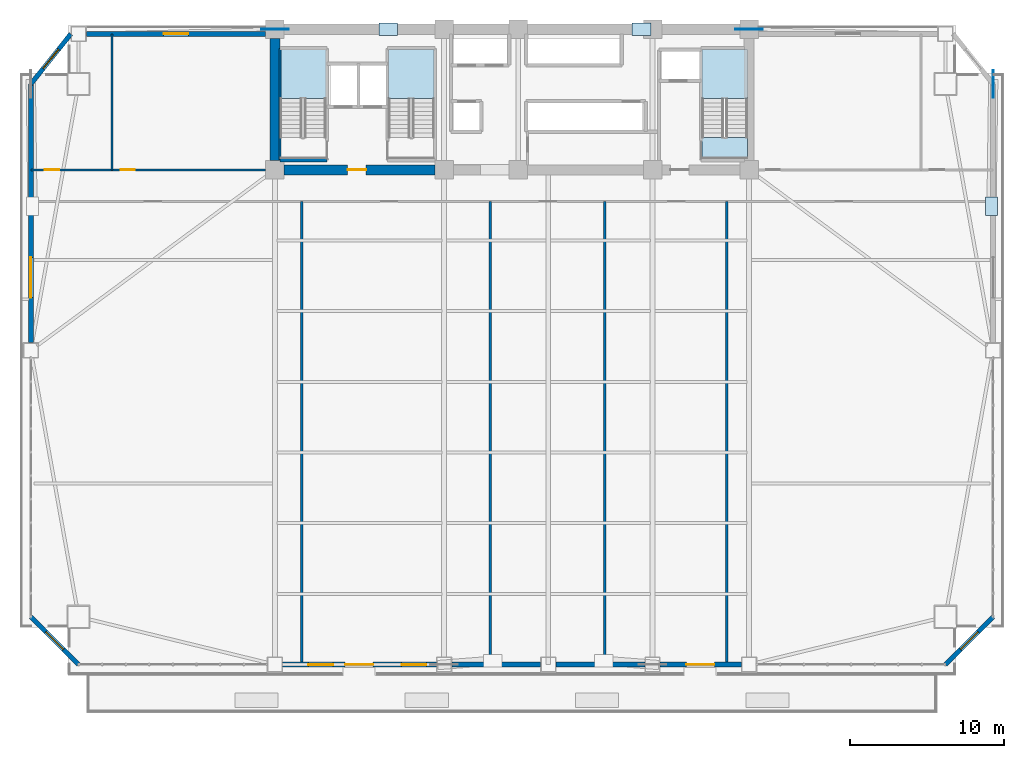
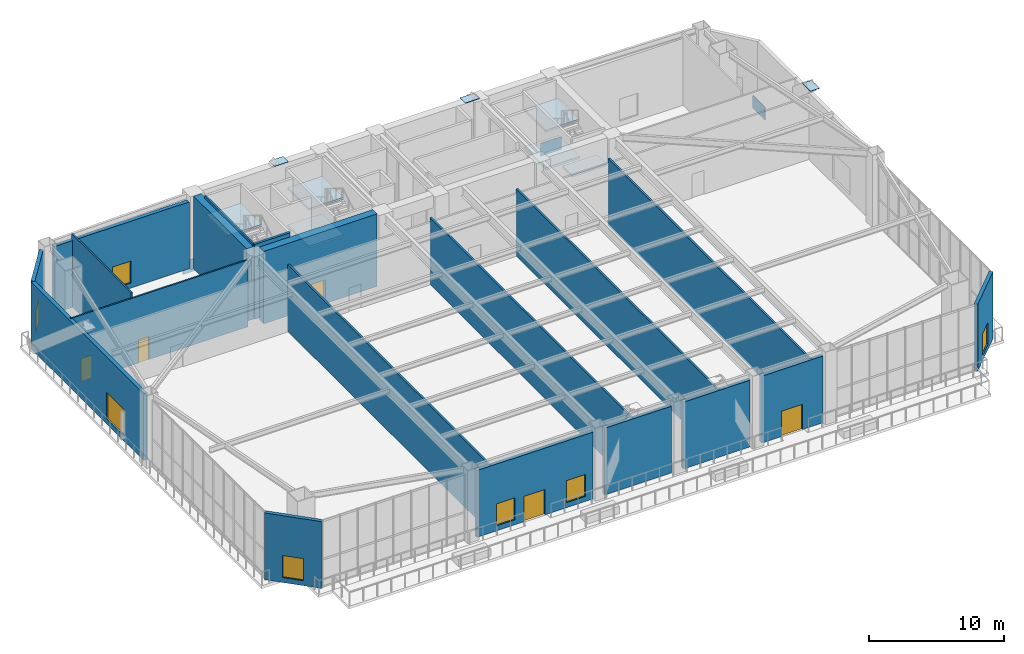
# One storey, part 14 of 22: 19 walls, 7 windows, 6 plates, 6 slabs, 5 doors, 12 openings, 3 elements without a shape of their own.
"""IFC4 building model written with IfcOpenShell, lengths in metres."""

from ifc_helpers import new_model, si_unit, direction, frame, frame_2d, origin, origin_2d, place, context, subcontext, project, spatial, polyline, rectangle, outline, extrude, source, transform, mapped, material, layer, layer_set, type_object, element, fill, aggregate, save


model = new_model("IFC4")

# Units and contexts
model_context = context("Model", 3, precision=1e-05, world=origin(), true_north=direction((0.0, 1.0)))
body_context = subcontext(model_context, "Body", "Model", "MODEL_VIEW")
ifc_project = project(units=[si_unit("LENGTHUNIT", "METRE"), si_unit("AREAUNIT", "SQUARE_METRE"), si_unit("VOLUMEUNIT", "CUBIC_METRE"), si_unit("PLANEANGLEUNIT", "RADIAN"), si_unit("MASSUNIT", "GRAM", prefix="KILO")], contexts=[model_context])

# Site, building, storey
site_placement = place(None, origin())
site = spatial("IfcSite", under=ifc_project, at=site_placement, CompositionType="ELEMENT")
building_placement = place(site_placement, origin())
building = spatial("IfcBuilding", under=site, at=building_placement, Name="Giltprow Tower", CompositionType="ELEMENT")
storey_placement = place(building_placement, frame((0.0, 0.0, 72.800048828125)))
storey = spatial("IfcBuildingStorey", under=building, at=storey_placement, Name="L18", CompositionType="ELEMENT", Elevation=72.800048828125)

# Stair, slab
ifc_material_1 = material(Name="Concrete C40", Category="concrete")
stair_type_1 = type_object("IfcStairType", Name="STR-ST-1", PredefinedType="HALF_TURN_STAIR", material=ifc_material_1)
stair_1_placement = place(storey_placement, origin())
stair_1 = element("IfcStair", 1, at=stair_1_placement, inside=storey, type_object=stair_type_1, Name="L18 Core Exit Stair ST-1", PredefinedType="HALF_TURN_STAIR")
ifc_layer_1 = layer(ifc_material_1, 0.179931640625, Name="Concrete C40")
ifc_layer_set_1 = layer_set([ifc_layer_1], Name="Concrete C40")
slab_type_1 = type_object("IfcSlabType", Name="SLD-ST-1", PredefinedType="LANDING", material=ifc_layer_set_1)
slab_1_placement = place(storey_placement, frame((0.0, 0.0, 4.919921875)))
slab_1 = element("IfcSlab", 2, at=slab_1_placement, type_object=slab_type_1, Name="ST-1 landing 3", PredefinedType="LANDING", context=body_context, shape_type="SweptSolid", body=[
    extrude(outline(polyline([(23.159912109375, 42.070068359375), (23.159912109375, 45.25), (20.199951171875, 45.25), (20.199951171875, 42.070068359375), (23.159912109375, 42.070068359375)])), origin(), (0.0, 0.0, 1.0), 0.179931640625),
])
aggregate(stair_1, [slab_1])

# Stair, slabs
stair_type_2 = type_object("IfcStairType", Name="STR-ST-2", PredefinedType="HALF_TURN_STAIR", material=ifc_material_1)
stair_2_placement = place(storey_placement, origin())
stair_2 = element("IfcStair", 3, at=stair_2_placement, inside=storey, type_object=stair_type_2, Name="L18 Core Exit Stair ST-2", PredefinedType="HALF_TURN_STAIR")
ifc_layer_2 = layer(ifc_material_1, 0.18798828125, Name="Concrete C40")
ifc_layer_set_2 = layer_set([ifc_layer_2], Name="Concrete C40")
slab_type_2 = type_object("IfcSlabType", Name="SLD-ST-2", PredefinedType="LANDING", material=ifc_layer_set_2)
slab_2_placement = place(storey_placement, frame((0.0, 0.0, 1.511962890625)))
slab_2 = element("IfcSlab", 4, at=slab_2_placement, type_object=slab_type_2, Name="ST-2 landing 1", PredefinedType="LANDING", context=body_context, shape_type="SweptSolid", body=[
    extrude(outline(polyline([(30.159912109375, 42.070068359375), (30.159912109375, 45.25), (27.199951171875, 45.25), (27.199951171875, 42.070068359375), (30.159912109375, 42.070068359375)])), origin(), (0.0, 0.0, 1.0), 0.18798828125),
])
slab_3_placement = place(storey_placement, frame((0.0, 0.0, 4.911865234375)))
slab_3 = element("IfcSlab", 5, at=slab_3_placement, type_object=slab_type_2, Name="ST-2 landing 3", PredefinedType="LANDING", context=body_context, shape_type="SweptSolid", body=[
    extrude(outline(polyline([(30.159912109375, 42.070068359375), (30.159912109375, 45.25), (27.199951171875, 45.25), (27.199951171875, 42.070068359375), (30.159912109375, 42.070068359375)])), origin(), (0.0, 0.0, 1.0), 0.18798828125),
])
aggregate(stair_2, [slab_2, slab_3])

stair_type_3 = type_object("IfcStairType", Name="STR-ST-3", PredefinedType="HALF_TURN_STAIR", material=ifc_material_1)
stair_3_placement = place(storey_placement, origin())
stair_3 = element("IfcStair", 6, at=stair_3_placement, inside=storey, type_object=stair_type_3, Name="L18 Core Exit Stair ST-3", PredefinedType="HALF_TURN_STAIR")
ifc_layer_3 = layer(ifc_material_1, 0.196044921875, Name="Concrete C40")
ifc_layer_set_3 = layer_set([ifc_layer_3], Name="Concrete C40")
slab_type_3 = type_object("IfcSlabType", Name="SLD-ST-3", PredefinedType="LANDING", material=ifc_layer_set_3)
slab_4_placement = place(storey_placement, frame((0.0, 0.0, 1.50390625)))
slab_4 = element("IfcSlab", 7, at=slab_4_placement, type_object=slab_type_3, Name="ST-3 landing 1", PredefinedType="LANDING", context=body_context, shape_type="SweptSolid", body=[
    extrude(outline(polyline([(50.4599609375, 42.070068359375), (50.4599609375, 45.25), (47.5, 45.25), (47.5, 42.070068359375), (50.4599609375, 42.070068359375)])), origin(), (0.0, 0.0, 1.0), 0.196044921875),
])
slab_5_placement = place(storey_placement, frame((0.0, 0.0, 3.203857421875)))
slab_5 = element("IfcSlab", 8, at=slab_5_placement, type_object=slab_type_3, Name="ST-3 landing 2", PredefinedType="LANDING", context=body_context, shape_type="SweptSolid", body=[
    extrude(outline(polyline([(50.4599609375, 38.14990234375), (50.4599609375, 39.550048828125), (47.5, 39.550048828125), (47.5, 38.14990234375), (50.4599609375, 38.14990234375)])), origin(), (0.0, 0.0, 1.0), 0.196044921875),
])
slab_6_placement = place(storey_placement, frame((0.0, 0.0, 4.904052734375)))
slab_6 = element("IfcSlab", 9, at=slab_6_placement, type_object=slab_type_3, Name="ST-3 landing 3", PredefinedType="LANDING", context=body_context, shape_type="SweptSolid", body=[
    extrude(outline(polyline([(50.4599609375, 42.070068359375), (50.4599609375, 45.25), (47.5, 45.25), (47.5, 42.070068359375), (50.4599609375, 42.070068359375)])), origin(), (0.0, 0.0, 1.0), 0.19580078125),
])
aggregate(stair_3, [slab_4, slab_5, slab_6])

# Plates
ifc_material_2 = material(Name="Structural steel Q420GJC", Category="steel")
plate_type_1 = type_object("IfcPlateType", Name="PLT-NODE-MBN1", PredefinedType="USERDEFINED", material=ifc_material_2)
shared_shape_1 = source(origin(), body_context, "Body", "SweptSolid", [
    extrude(rectangle(XDim=1.800048828125, YDim=0.050048828125, at=origin_2d()), origin(), (0.0, 0.0, 1.0), 1.14990234375),
])
for number, where, z_axis, x_axis, name in (
    (10, (19.85009765625, 46.550048828125, -0.715087890625), (0.0, 0.0, 1.0), (1.0, 0.0, 0.0), "Mega-Brace Node L18-N-LA"),
    (11, (50.550048828125, 46.550048828125, -0.715087890625), (0.0, 0.0, 1.0), (1.0, 0.0, 0.0), "Mega-Brace Node L18-N-RA"),
    (12, (66.361083984375, 43.00390625, -0.574951171875), (0.0, 0.0, 1.0), (0.0, 1.0, 0.0), "Mega-Brace Node L18-E-RA"),
):
    element("IfcPlate", number, at=place(storey_placement, frame(where, z_axis=z_axis, x_axis=x_axis)), inside=storey, type_object=plate_type_1, Name=name, ObjectType="GUSSET", PredefinedType="USERDEFINED", context=body_context, shape_type="MappedRepresentation", body=[
        mapped(shared_shape_1, transform((0.0, 0.0, 0.0), x_axis=(1.0, 0.0, 0.0), y_axis=(0.0, 1.0, 0.0), z_axis=(0.0, 0.0, 1.0), scale=1.0)),
    ])
plate_type_2 = type_object("IfcPlateType", Name="PLT-CAP-SEAL", PredefinedType="USERDEFINED", material=ifc_material_2)
shared_shape_2 = source(origin(), body_context, "Body", "SweptSolid", [
    extrude(rectangle(XDim=1.199951171875, YDim=0.800048828125, at=origin_2d()), origin(), (0.0, 0.0, 1.0), 0.034912109375),
])
for number, where, z_axis, x_axis, name in (
    (13, (27.18603515625, 46.550048828125, 6.642578125), (0.0, 0.0, 1.0), (1.0, 0.0, 0.0), "Mega-Brace Node L18-N-LB"),
    (14, (43.5869140625, 46.550048828125, 6.642578125), (0.0, 0.0, 1.0), (1.0, 0.0, 0.0), "Mega-Brace Node L18-N-RB"),
    (15, (66.251953125, 35.093017578125, 6.78271484375), (0.0, 0.0, 1.0), (0.0, 1.0, 0.0), "Mega-Brace Node L18-E-RB"),
):
    element("IfcPlate", number, at=place(storey_placement, frame(where, z_axis=z_axis, x_axis=x_axis)), inside=storey, type_object=plate_type_2, Name=name, ObjectType="SPLICE", PredefinedType="USERDEFINED", context=body_context, shape_type="MappedRepresentation", body=[
        mapped(shared_shape_2, transform((0.0, 0.0, 0.0), x_axis=(1.0, 0.0, 0.0), y_axis=(0.0, 1.0, 0.0), z_axis=(0.0, 0.0, 1.0), scale=1.0)),
    ])

# Wall, opening, window
ifc_material_3 = material(Name="Precast concrete C40", Category="concrete")
ifc_layer_4 = layer(ifc_material_3, 0.300048828125, Name="Precast concrete C40")
ifc_layer_set_4 = layer_set([ifc_layer_4], Name="Precast concrete C40")
wall_type_1 = type_object("IfcWallType", Name="EW-NOTCH-CHAMFER-300", PredefinedType="SOLIDWALL", material=ifc_layer_set_4)
wall_1_placement = place(storey_placement, frame((4.0400390625, 8.5048828125, 0.0), z_axis=(0.0, 0.0, 1.0), x_axis=(0.707106781187, -0.707106781187, 0.0)))
wall_1 = element("IfcWall", 16, at=wall_1_placement, inside=storey, type_object=wall_type_1, Name="L18 Corner Notch Wall SW", PredefinedType="SOLIDWALL", context=body_context, shape_type="SweptSolid", body=[
    extrude(rectangle(XDim=4.37841796875, YDim=0.300048828125, at=frame_2d((2.189208984375, 0.0))), origin(), (0.0, 0.0, 1.0), 6.06005859375),
])
opening_1_placement = place(wall_1_placement, frame((1.388916015625, 0.0, 0.449951171875)))
opening_1 = element("IfcOpeningElement", 17, at=opening_1_placement, cuts=wall_1, Name="Opening WN17", PredefinedType="OPENING", context=body_context, shape_type="SweptSolid", body=[
    extrude(rectangle(XDim=1.60009765625, YDim=2.0, at=frame_2d((0.800048828125, 1.0))), frame((0.0, 0.159912109375, 0.0), z_axis=(0.0, -1.0, 0.0), x_axis=(1.0, 0.0, 0.0)), (0.0, 0.0, 1.0), 0.320068359375),
])
ifc_material_4 = material(Name="Insulated glass", Category="glass")
window_type_1 = type_object("IfcWindowType", Name="WN-COR-1600x2000", PartitioningType="SINGLE_PANEL", PredefinedType="WINDOW", material=ifc_material_4)
shared_shape_3 = source(origin(), body_context, "Body", "SweptSolid", [
    extrude(rectangle(XDim=1.60009765625, YDim=2.0, at=frame_2d((0.800048828125, 1.0))), frame((0.0, 0.030029296875, 0.0), z_axis=(0.0, -1.0, 0.0), x_axis=(1.0, 0.0, 0.0)), (0.0, 0.0, 1.0), 0.06005859375),
])
window_1_placement = place(opening_1_placement, origin())
window_1 = element("IfcWindow", 18, at=window_1_placement, inside=storey, type_object=window_type_1, Name="L18 Corner Notch Window SW", OverallHeight=2.0, OverallWidth=1.60009765625, PartitioningType="SINGLE_PANEL", PredefinedType="WINDOW", context=body_context, shape_type="MappedRepresentation", body=[
    mapped(shared_shape_3, transform((0.0, 0.0, 0.0), x_axis=(1.0, 0.0, 0.0), y_axis=(0.0, 1.0, 0.0), z_axis=(0.0, 0.0, 1.0), scale=1.0)),
])
fill(opening_1, window_1)

wall_2_placement = place(storey_placement, frame((63.264892578125, 5.408935546875, 0.0), z_axis=(0.0, 0.0, 1.0), x_axis=(0.707134660098, 0.707078901175, 0.0)))
wall_2 = element("IfcWall", 19, at=wall_2_placement, inside=storey, type_object=wall_type_1, Name="L18 Corner Notch Wall SE", PredefinedType="SOLIDWALL", context=body_context, shape_type="SweptSolid", body=[
    extrude(rectangle(XDim=4.37841796875, YDim=0.300048828125, at=frame_2d((2.189208984375, 0.0))), origin(), (0.0, 0.0, 1.0), 6.06005859375),
])
opening_2_placement = place(wall_2_placement, frame((1.388916015625, 0.0, 0.449951171875)))
opening_2 = element("IfcOpeningElement", 20, at=opening_2_placement, cuts=wall_2, Name="Opening WN17", PredefinedType="OPENING", context=body_context, shape_type="SweptSolid", body=[
    extrude(rectangle(XDim=1.60009765625, YDim=2.0, at=frame_2d((0.800048828125, 1.0))), frame((0.0, 0.159912109375, 0.0), z_axis=(0.0, -1.0, 0.0), x_axis=(1.0, 0.0, 0.0)), (0.0, 0.0, 1.0), 0.320068359375),
])
window_2_placement = place(opening_2_placement, origin())
window_2 = element("IfcWindow", 21, at=window_2_placement, inside=storey, type_object=window_type_1, Name="L18 Corner Notch Window SE", OverallHeight=2.0, OverallWidth=1.60009765625, PartitioningType="SINGLE_PANEL", PredefinedType="WINDOW", context=body_context, shape_type="MappedRepresentation", body=[
    mapped(shared_shape_3, transform((0.0, 0.0, 0.0), x_axis=(1.0, 0.0, 0.0), y_axis=(0.0, 1.0, 0.0), z_axis=(0.0, 0.0, 1.0), scale=1.0)),
])
fill(opening_2, window_2)

wall_3_placement = place(storey_placement, frame((6.635986328125, 46.25, 0.0), z_axis=(0.0, 0.0, 1.0), x_axis=(-0.624558938305, -0.780977677391, 0.0)))
wall_3 = element("IfcWall", 22, at=wall_3_placement, inside=storey, type_object=wall_type_1, Name="L18 Corner Notch Wall NW", PredefinedType="SOLIDWALL", context=body_context, shape_type="SweptSolid", body=[
    extrude(rectangle(XDim=4.156494140625, YDim=0.300048828125, at=frame_2d((2.078125, 0.0))), origin(), (0.0, 0.0, 1.0), 6.06005859375),
])
opening_3_placement = place(wall_3_placement, frame((1.278076171875, 0.0, 0.449951171875)))
opening_3 = element("IfcOpeningElement", 23, at=opening_3_placement, cuts=wall_3, Name="Opening WN17", PredefinedType="OPENING", context=body_context, shape_type="SweptSolid", body=[
    extrude(rectangle(XDim=1.60009765625, YDim=2.0, at=frame_2d((0.800048828125, 1.0))), frame((0.0, 0.159912109375, 0.0), z_axis=(0.0, -1.0, 0.0), x_axis=(1.0, 0.0, 0.0)), (0.0, 0.0, 1.0), 0.320068359375),
])
window_3_placement = place(opening_3_placement, origin())
window_3 = element("IfcWindow", 24, at=window_3_placement, inside=storey, type_object=window_type_1, Name="L18 Corner Notch Window NW", OverallHeight=2.0, OverallWidth=1.60009765625, PartitioningType="SINGLE_PANEL", PredefinedType="WINDOW", context=body_context, shape_type="MappedRepresentation", body=[
    mapped(shared_shape_3, transform((0.0, 0.0, 0.0), x_axis=(1.0, 0.0, 0.0), y_axis=(0.0, 1.0, 0.0), z_axis=(0.0, 0.0, 1.0), scale=1.0)),
])
fill(opening_3, window_3)

# Wall, openings, door, windows
ifc_layer_5 = layer(ifc_material_3, 0.320068359375, Name="Precast concrete C40")
ifc_layer_set_5 = layer_set([ifc_layer_5], Name="Precast concrete C40")
wall_type_2 = type_object("IfcWallType", Name="EW-TOW-STONE-320", PredefinedType="SOLIDWALL", material=ifc_layer_set_5)
wall_4_placement = place(storey_placement, frame((20.35009765625, 5.408935546875, 0.0), z_axis=(0.0, 0.0, 1.0), x_axis=(1.0, 0.0, 0.0)))
wall_4 = element("IfcWall", 25, at=wall_4_placement, inside=storey, type_object=wall_type_2, Name="L18 South Expressed Frame Wall 2", PredefinedType="SOLIDWALL", context=body_context, shape_type="SweptSolid", body=[
    extrude(rectangle(XDim=9.949951171875, YDim=0.320068359375, at=frame_2d((4.97509765625, 0.0))), origin(), (0.0, 0.0, 1.0), 6.06005859375),
])
opening_4_placement = place(wall_4_placement, frame((4.050048828125, 0.0, 0.0)))
opening_4 = element("IfcOpeningElement", 26, at=opening_4_placement, cuts=wall_4, Name="Opening ED15", PredefinedType="OPENING", context=body_context, shape_type="SweptSolid", body=[
    extrude(rectangle(XDim=1.800048828125, YDim=2.300048828125, at=frame_2d((0.89990234375, 1.14990234375))), frame((0.0, 0.169921875, 0.0), z_axis=(0.0, -1.0, 0.0), x_axis=(1.0, 0.0, 0.0)), (0.0, 0.0, 1.0), 0.340087890625),
])
opening_5_placement = place(wall_4_placement, frame((1.669921875, 0.0, 0.449951171875)))
opening_5 = element("IfcOpeningElement", 27, at=opening_5_placement, cuts=wall_4, Name="Opening WN17", PredefinedType="OPENING", context=body_context, shape_type="SweptSolid", body=[
    extrude(rectangle(XDim=1.60009765625, YDim=2.0, at=frame_2d((0.800048828125, 1.0))), frame((0.0, 0.169921875, 0.0), z_axis=(0.0, -1.0, 0.0), x_axis=(1.0, 0.0, 0.0)), (0.0, 0.0, 1.0), 0.340087890625),
])
opening_6_placement = place(wall_4_placement, frame((7.699951171875, 0.0, 0.449951171875)))
opening_6 = element("IfcOpeningElement", 28, at=opening_6_placement, cuts=wall_4, Name="Opening WN17", PredefinedType="OPENING", context=body_context, shape_type="SweptSolid", body=[
    extrude(rectangle(XDim=1.60009765625, YDim=2.0, at=frame_2d((0.800048828125, 1.0))), frame((0.0, 0.169921875, 0.0), z_axis=(0.0, -1.0, 0.0), x_axis=(1.0, 0.0, 0.0)), (0.0, 0.0, 1.0), 0.340087890625),
])
ifc_material_5 = material(Name="Anodized bronze and glass", Category="glass")
door_type_1 = type_object("IfcDoorType", Name="DR-TERR-SWING-1800", OperationType="DOUBLE_SWING_LEFT", PredefinedType="DOOR", material=ifc_material_5)
shared_shape_4 = source(origin(), body_context, "Body", "SweptSolid", [
    extrude(rectangle(XDim=1.800048828125, YDim=2.300048828125, at=frame_2d((0.89990234375, 1.14990234375))), frame((0.0, 0.02490234375, 0.0), z_axis=(0.0, -1.0, 0.0), x_axis=(1.0, 0.0, 0.0)), (0.0, 0.0, 1.0), 0.050048828125),
])
door_1_placement = place(opening_4_placement, origin())
door_1 = element("IfcDoor", 29, at=door_1_placement, inside=storey, type_object=door_type_1, Name="L18 Sky Garden Terrace Door 1", OperationType="DOUBLE_SWING_LEFT", OverallHeight=2.300048828125, OverallWidth=1.800048828125, PredefinedType="DOOR", context=body_context, shape_type="MappedRepresentation", body=[
    mapped(shared_shape_4, transform((0.0, 0.0, 0.0), x_axis=(1.0, 0.0, 0.0), y_axis=(0.0, 1.0, 0.0), z_axis=(0.0, 0.0, 1.0), scale=1.0)),
])
fill(opening_4, door_1)
window_4_placement = place(opening_5_placement, origin())
window_4 = element("IfcWindow", 30, at=window_4_placement, inside=storey, type_object=window_type_1, Name="L18 Sky Garden Window 1", OverallHeight=2.0, OverallWidth=1.60009765625, PartitioningType="SINGLE_PANEL", PredefinedType="WINDOW", context=body_context, shape_type="MappedRepresentation", body=[
    mapped(shared_shape_3, transform((0.0, 0.0, 0.0), x_axis=(1.0, 0.0, 0.0), y_axis=(0.0, 1.0, 0.0), z_axis=(0.0, 0.0, 1.0), scale=1.0)),
])
fill(opening_5, window_4)
window_5_placement = place(opening_6_placement, origin())
window_5 = element("IfcWindow", 31, at=window_5_placement, inside=storey, type_object=window_type_1, Name="L18 Sky Garden Window 2", OverallHeight=2.0, OverallWidth=1.60009765625, PartitioningType="SINGLE_PANEL", PredefinedType="WINDOW", context=body_context, shape_type="MappedRepresentation", body=[
    mapped(shared_shape_3, transform((0.0, 0.0, 0.0), x_axis=(1.0, 0.0, 0.0), y_axis=(0.0, 1.0, 0.0), z_axis=(0.0, 0.0, 1.0), scale=1.0)),
])
fill(opening_6, window_5)

# Walls
for number, where, z_axis, x_axis, name in (
    (32, (31.300048828125, 5.408935546875, 0.0), (0.0, 0.0, 1.0), (1.0, 0.0, 0.0), "L18 South Expressed Frame Wall 3"),
    (33, (38.050048828125, 5.408935546875, 0.0), (0.0, 0.0, 1.0), (1.0, 0.0, 0.0), "L18 South Expressed Frame Wall 4"),
):
    element("IfcWall", number, at=place(storey_placement, frame(where, z_axis=z_axis, x_axis=x_axis)), inside=storey, type_object=wall_type_2, Name=name, PredefinedType="SOLIDWALL", context=body_context, shape_type="SweptSolid", body=[
        extrude(rectangle(XDim=5.75, YDim=0.320068359375, at=frame_2d((2.875, 0.0))), origin(), (0.0, 0.0, 1.0), 6.06005859375),
    ])

# Wall, opening, door
wall_5_placement = place(storey_placement, frame((44.800048828125, 5.408935546875, 0.0), z_axis=(0.0, 0.0, 1.0), x_axis=(1.0, 0.0, 0.0)))
wall_5 = element("IfcWall", 34, at=wall_5_placement, inside=storey, type_object=wall_type_2, Name="L18 South Expressed Frame Wall 5", PredefinedType="SOLIDWALL", context=body_context, shape_type="SweptSolid", body=[
    extrude(rectangle(XDim=5.25, YDim=0.320068359375, at=frame_2d((2.625, 0.0))), origin(), (0.0, 0.0, 1.0), 6.06005859375),
])
opening_7_placement = place(wall_5_placement, frame((1.699951171875, 0.0, 0.0)))
opening_7 = element("IfcOpeningElement", 35, at=opening_7_placement, cuts=wall_5, Name="Opening ED15", PredefinedType="OPENING", context=body_context, shape_type="SweptSolid", body=[
    extrude(rectangle(XDim=1.800048828125, YDim=2.300048828125, at=frame_2d((0.89990234375, 1.14990234375))), frame((0.0, 0.169921875, 0.0), z_axis=(0.0, -1.0, 0.0), x_axis=(1.0, 0.0, 0.0)), (0.0, 0.0, 1.0), 0.340087890625),
])
door_2_placement = place(opening_7_placement, origin())
door_2 = element("IfcDoor", 36, at=door_2_placement, inside=storey, type_object=door_type_1, Name="L18 Sky Garden Terrace Door 2", OperationType="DOUBLE_SWING_RIGHT", OverallHeight=2.300048828125, OverallWidth=1.800048828125, PredefinedType="DOOR", context=body_context, shape_type="MappedRepresentation", body=[
    mapped(shared_shape_4, transform((0.0, 0.0, 0.0), x_axis=(1.0, 0.0, 0.0), y_axis=(0.0, 1.0, 0.0), z_axis=(0.0, 0.0, 1.0), scale=1.0)),
])
fill(opening_7, door_2)

# Wall, opening, window
wall_6_placement = place(storey_placement, frame((4.0400390625, 26.2548828125, 0.0), z_axis=(0.0, 0.0, 1.0), x_axis=(0.0, 1.0, 0.0)))
wall_6 = element("IfcWall", 37, at=wall_6_placement, inside=storey, type_object=wall_type_2, Name="L18 W Wing Masonry Wall 2", PredefinedType="SOLIDWALL", context=body_context, shape_type="SweptSolid", body=[
    extrude(rectangle(XDim=16.7490234375, YDim=0.320068359375, at=frame_2d((8.37451171875, 0.0))), origin(), (0.0, 0.0, 1.0), 6.06005859375),
])
opening_8_placement = place(wall_6_placement, frame((2.9189453125, 0.0, 0.449951171875)))
opening_8 = element("IfcOpeningElement", 38, at=opening_8_placement, cuts=wall_6, Name="Opening WN19", PredefinedType="OPENING", context=body_context, shape_type="SweptSolid", body=[
    extrude(rectangle(XDim=2.60009765625, YDim=2.39990234375, at=frame_2d((1.300048828125, 1.199951171875))), frame((0.0, 0.169921875, 0.0), z_axis=(0.0, -1.0, 0.0), x_axis=(1.0, 0.0, 0.0)), (0.0, 0.0, 1.0), 0.340087890625),
])
window_type_2 = type_object("IfcWindowType", Name="WN-OBS-2600x2400", PartitioningType="DOUBLE_PANEL_VERTICAL", PredefinedType="WINDOW", material=ifc_material_4)
shared_shape_5 = source(origin(), body_context, "Body", "SweptSolid", [
    extrude(rectangle(XDim=2.60009765625, YDim=2.39990234375, at=frame_2d((1.300048828125, 1.199951171875))), frame((0.0, 0.030029296875, 0.0), z_axis=(0.0, -1.0, 0.0), x_axis=(1.0, 0.0, 0.0)), (0.0, 0.0, 1.0), 0.06005859375),
])
window_6_placement = place(opening_8_placement, origin())
window_6 = element("IfcWindow", 39, at=window_6_placement, inside=storey, type_object=window_type_2, Name="L18 W Wing Window 2-1", OverallHeight=2.39990234375, OverallWidth=2.60009765625, PartitioningType="SINGLE_PANEL", PredefinedType="WINDOW", context=body_context, shape_type="MappedRepresentation", body=[
    mapped(shared_shape_5, transform((0.0, 0.0, 0.0), x_axis=(1.0, 0.0, 0.0), y_axis=(0.0, 1.0, 0.0), z_axis=(0.0, 0.0, 1.0), scale=1.0)),
])
fill(opening_8, window_6)

wall_7_placement = place(storey_placement, frame((7.635986328125, 46.25, 0.0), z_axis=(0.0, 0.0, 1.0), x_axis=(1.0, 0.0, 0.0)))
wall_7 = element("IfcWall", 40, at=wall_7_placement, inside=storey, type_object=wall_type_2, Name="L18 North-West Wing Wall", PredefinedType="SOLIDWALL", context=body_context, shape_type="SweptSolid", body=[
    extrude(rectangle(XDim=11.614013671875, YDim=0.320068359375, at=frame_2d((5.80712890625, 0.0))), origin(), (0.0, 0.0, 1.0), 6.06005859375),
])
opening_9_placement = place(wall_7_placement, frame((5.007080078125, 0.0, 0.449951171875)))
opening_9 = element("IfcOpeningElement", 41, at=opening_9_placement, cuts=wall_7, Name="Opening WN17", PredefinedType="OPENING", context=body_context, shape_type="SweptSolid", body=[
    extrude(rectangle(XDim=1.60009765625, YDim=2.0, at=frame_2d((0.800048828125, 1.0))), frame((0.0, 0.169921875, 0.0), z_axis=(0.0, -1.0, 0.0), x_axis=(1.0, 0.0, 0.0)), (0.0, 0.0, 1.0), 0.340087890625),
])
window_7_placement = place(opening_9_placement, origin())
window_7 = element("IfcWindow", 42, at=window_7_placement, inside=storey, type_object=window_type_1, Name="L18 North-West Window", OverallHeight=2.0, OverallWidth=1.60009765625, PartitioningType="SINGLE_PANEL", PredefinedType="WINDOW", context=body_context, shape_type="MappedRepresentation", body=[
    mapped(shared_shape_3, transform((0.0, 0.0, 0.0), x_axis=(1.0, 0.0, 0.0), y_axis=(0.0, 1.0, 0.0), z_axis=(0.0, 0.0, 1.0), scale=1.0)),
])
fill(opening_9, window_7)

# Walls
ifc_material_6 = material(Name="Gypsum stud partition", Category="gypsum")
ifc_layer_6 = layer(ifc_material_6, 0.159912109375, Name="Gypsum stud partition")
ifc_layer_set_6 = layer_set([ifc_layer_6], Name="Gypsum stud partition")
wall_type_3 = type_object("IfcWallType", Name="IW-DEMISE-160", PredefinedType="PARTITIONING", material=ifc_layer_set_6)
for number, where, z_axis, x_axis, name in (
    (43, (21.60009765625, 5.408935546875, 0.0), (0.0, 0.0, 1.0), (0.0, 1.0, 0.0), "L18 Sky Lobby Partition 1"),
    (44, (33.800048828125, 5.408935546875, 0.0), (0.0, 0.0, 1.0), (0.0, 1.0, 0.0), "L18 Sky Lobby Partition 2"),
    (45, (41.199951171875, 5.408935546875, 0.0), (0.0, 0.0, 1.0), (0.0, 1.0, 0.0), "L18 Sky Lobby Partition 3"),
    (46, (49.10009765625, 5.408935546875, 0.0), (0.0, 0.0, 1.0), (0.0, 1.0, 0.0), "L18 Sky Lobby Partition 4"),
):
    element("IfcWall", number, at=place(storey_placement, frame(where, z_axis=z_axis, x_axis=x_axis)), inside=storey, type_object=wall_type_3, Name=name, PredefinedType="PARTITIONING", context=body_context, shape_type="SweptSolid", body=[
        extrude(rectangle(XDim=29.990966796875, YDim=0.159912109375, at=frame_2d((14.99560546875, 0.0))), origin(), (0.0, 0.0, 1.0), 6.06494140625),
    ])
ifc_material_7 = material(Name="Concrete C45", Category="concrete")
ifc_layer_7 = layer(ifc_material_7, 0.139892578125, Name="Concrete C45")
ifc_layer_set_7 = layer_set([ifc_layer_7], Name="Concrete C45")
wall_type_4 = type_object("IfcWallType", Name="IW-STAIR-140", PredefinedType="SOLIDWALL", material=ifc_layer_set_7)
wall_8_placement = place(storey_placement, frame((20.169921875, 38.070068359375, 0.0), z_axis=(0.0, 0.0, 1.0), x_axis=(0.0, 1.0, 0.0)))
element("IfcWall", 47, at=wall_8_placement, inside=storey, type_object=wall_type_4, Name="L18 Stair ST-1 West Bearing Wall", PredefinedType="SOLIDWALL", context=body_context, shape_type="SweptSolid", body=[
    extrude(rectangle(XDim=7.25, YDim=0.139892578125, at=frame_2d((3.625, 0.0))), origin(), (0.0, 0.0, 1.0), 6.800048828125),
])
ifc_layer_8 = layer(ifc_material_1, 0.199951171875, Name="Concrete C40")
ifc_layer_set_8 = layer_set([ifc_layer_8], Name="Concrete C40")
wall_type_5 = type_object("IfcWallType", Name="IW-STAIR-200", PredefinedType="SOLIDWALL", material=ifc_layer_set_8)
wall_9_placement = place(storey_placement, frame((20.169921875, 38.070068359375, 0.0), z_axis=(0.0, 0.0, 1.0), x_axis=(1.0, 0.0, 0.0)))
element("IfcWall", 48, at=wall_9_placement, inside=storey, type_object=wall_type_5, Name="L18 Stair ST-1 South Bearing Wall", PredefinedType="SOLIDWALL", context=body_context, shape_type="SweptSolid", body=[
    extrude(rectangle(XDim=3.050048828125, YDim=0.199951171875, at=frame_2d((1.52490234375, 0.0))), origin(), (0.0, 0.0, 1.0), 6.800048828125),
])

# Wall, openings, doors
ifc_material_8 = material(Name="Concrete C30", Category="concrete")
ifc_layer_9 = layer(ifc_material_8, 0.1298828125, Name="Concrete C30")
ifc_layer_set_9 = layer_set([ifc_layer_9], Name="Concrete C30")
wall_type_6 = type_object("IfcWallType", Name="IW-WET-130", PredefinedType="PARTITIONING", material=ifc_layer_set_9)
wall_10_placement = place(storey_placement, frame((4.0400390625, 37.449951171875, 0.0), z_axis=(0.0, 0.0, 1.0), x_axis=(1.0, 0.0, 0.0)))
wall_10 = element("IfcWall", 49, at=wall_10_placement, inside=storey, type_object=wall_type_6, Name="L18 NW Wing South Wall", PredefinedType="PARTITIONING", context=body_context, shape_type="SweptSolid", body=[
    extrude(rectangle(XDim=15.2099609375, YDim=0.1298828125, at=frame_2d((7.60498046875, 0.0))), origin(), (0.0, 0.0, 1.0), 6.06494140625),
])
opening_10_placement = place(wall_10_placement, frame((0.89990234375, 0.0, 0.0)))
opening_10 = element("IfcOpeningElement", 50, at=opening_10_placement, cuts=wall_10, Name="Opening ID11", PredefinedType="OPENING", context=body_context, shape_type="SweptSolid", body=[
    extrude(rectangle(XDim=0.949951171875, YDim=2.10009765625, at=frame_2d((0.47509765625, 1.050048828125))), frame((0.0, 0.074951171875, 0.0), z_axis=(0.0, -1.0, 0.0), x_axis=(1.0, 0.0, 0.0)), (0.0, 0.0, 1.0), 0.14990234375),
])
opening_11_placement = place(wall_10_placement, frame((5.819091796875, 0.0, 0.0)))
opening_11 = element("IfcOpeningElement", 51, at=opening_11_placement, cuts=wall_10, Name="Opening ID15", PredefinedType="OPENING", context=body_context, shape_type="SweptSolid", body=[
    extrude(rectangle(XDim=0.89990234375, YDim=2.10009765625, at=frame_2d((0.449951171875, 1.050048828125))), frame((0.0, 0.074951171875, 0.0), z_axis=(0.0, -1.0, 0.0), x_axis=(1.0, 0.0, 0.0)), (0.0, 0.0, 1.0), 0.14990234375),
])
ifc_material_9 = material(Name="Engineered timber", Category="wood")
door_type_2 = type_object("IfcDoorType", Name="DR-WC-900", OperationType="SINGLE_SWING_LEFT", PredefinedType="DOOR", material=ifc_material_9)
shared_shape_6 = source(origin(), body_context, "Body", "SweptSolid", [
    extrude(rectangle(XDim=0.89990234375, YDim=2.10009765625, at=frame_2d((0.449951171875, 1.050048828125))), frame((0.0, 0.02490234375, 0.0), z_axis=(0.0, -1.0, 0.0), x_axis=(1.0, 0.0, 0.0)), (0.0, 0.0, 1.0), 0.050048828125),
])
door_3_placement = place(opening_11_placement, origin())
door_3 = element("IfcDoor", 52, at=door_3_placement, inside=storey, type_object=door_type_2, Name="L18 NW Washroom Door", OperationType="SINGLE_SWING_RIGHT", OverallHeight=2.10009765625, OverallWidth=0.89990234375, PredefinedType="DOOR", context=body_context, shape_type="MappedRepresentation", body=[
    mapped(shared_shape_6, transform((0.0, 0.0, 0.0), x_axis=(1.0, 0.0, 0.0), y_axis=(0.0, 1.0, 0.0), z_axis=(0.0, 0.0, 1.0), scale=1.0)),
])
fill(opening_11, door_3)
door_type_3 = type_object("IfcDoorType", Name="DR-ROOM-950", OperationType="SINGLE_SWING_RIGHT", PredefinedType="DOOR", material=ifc_material_9)
shared_shape_7 = source(origin(), body_context, "Body", "SweptSolid", [
    extrude(rectangle(XDim=0.949951171875, YDim=2.10009765625, at=frame_2d((0.47509765625, 1.050048828125))), frame((0.0, 0.02490234375, 0.0), z_axis=(0.0, -1.0, 0.0), x_axis=(1.0, 0.0, 0.0)), (0.0, 0.0, 1.0), 0.050048828125),
])
door_4_placement = place(opening_10_placement, origin())
door_4 = element("IfcDoor", 53, at=door_4_placement, inside=storey, type_object=door_type_3, Name="L18 Sky Garden Cloakroom Store West Door", OperationType="SINGLE_SWING_LEFT", OverallHeight=2.10009765625, OverallWidth=0.949951171875, PredefinedType="DOOR", context=body_context, shape_type="MappedRepresentation", body=[
    mapped(shared_shape_7, transform((0.0, 0.0, 0.0), x_axis=(1.0, 0.0, 0.0), y_axis=(0.0, 1.0, 0.0), z_axis=(0.0, 0.0, 1.0), scale=1.0)),
])
fill(opening_10, door_4)

# Wall
wall_11_placement = place(storey_placement, frame((9.30908203125, 37.449951171875, 0.0), z_axis=(0.0, 0.0, 1.0), x_axis=(0.0, 1.0, 0.0)))
element("IfcWall", 54, at=wall_11_placement, inside=storey, type_object=wall_type_6, Name="L18 NW Wing Divider", PredefinedType="PARTITIONING", context=body_context, shape_type="SweptSolid", body=[
    extrude(rectangle(XDim=8.800048828125, YDim=0.1298828125, at=frame_2d((4.39990234375, 0.0))), origin(), (0.0, 0.0, 1.0), 6.579833984375),
])

# Wall, opening, door
ifc_material_10 = material(Name="Concrete C60", Category="concrete")
ifc_layer_10 = layer(ifc_material_10, 0.64990234375, Name="Concrete C60")
ifc_layer_set_10 = layer_set([ifc_layer_10], Name="Concrete C60")
wall_type_7 = type_object("IfcWallType", Name="SW-INT-650-C60", PredefinedType="SHEAR", material=ifc_layer_set_10)
wall_12_placement = place(storey_placement, frame((20.449951171875, 37.449951171875, 0.0), z_axis=(0.0, 0.0, 1.0), x_axis=(1.0, 0.0, 0.0)))
wall_12 = element("IfcWall", 55, at=wall_12_placement, inside=storey, type_object=wall_type_7, Name="L18 South Rear Core Shear Wall West", PredefinedType="SHEAR", context=body_context, shape_type="SweptSolid", body=[
    extrude(rectangle(XDim=9.75, YDim=0.64990234375, at=frame_2d((4.875, 0.0))), origin(), (0.0, 0.0, 1.0), 6.579833984375),
])
opening_12_placement = place(wall_12_placement, frame((4.10009765625, 0.0, 0.0)))
opening_12 = element("IfcOpeningElement", 56, at=opening_12_placement, cuts=wall_12, Name="Opening ID19", PredefinedType="OPENING", context=body_context, shape_type="SweptSolid", body=[
    extrude(rectangle(XDim=1.199951171875, YDim=2.14990234375, at=frame_2d((0.60009765625, 1.074951171875))), frame((0.0, 0.3349609375, 0.0), z_axis=(0.0, -1.0, 0.0), x_axis=(1.0, 0.0, 0.0)), (0.0, 0.0, 1.0), 0.669921875),
])
ifc_material_11 = material(Name="Steel fire leaf", Category="steel")
door_type_4 = type_object("IfcDoorType", Name="DR-FFLOBBY-1200", OperationType="SINGLE_SWING_RIGHT", PredefinedType="DOOR", material=ifc_material_11)
shared_shape_8 = source(origin(), body_context, "Body", "SweptSolid", [
    extrude(rectangle(XDim=1.199951171875, YDim=2.14990234375, at=frame_2d((0.60009765625, 1.074951171875))), frame((0.0, 0.02490234375, 0.0), z_axis=(0.0, -1.0, 0.0), x_axis=(1.0, 0.0, 0.0)), (0.0, 0.0, 1.0), 0.050048828125),
])
door_5_placement = place(opening_12_placement, origin())
door_5 = element("IfcDoor", 57, at=door_5_placement, inside=storey, type_object=door_type_4, Name="L18 West Firefighting Lobby Entry Door", OperationType="SINGLE_SWING_LEFT", OverallHeight=2.14990234375, OverallWidth=1.199951171875, PredefinedType="DOOR", context=body_context, shape_type="MappedRepresentation", body=[
    mapped(shared_shape_8, transform((0.0, 0.0, 0.0), x_axis=(1.0, 0.0, 0.0), y_axis=(0.0, 1.0, 0.0), z_axis=(0.0, 0.0, 1.0), scale=1.0)),
])
fill(opening_12, door_5)

# Wall
wall_13_placement = place(storey_placement, frame((19.85009765625, 38.050048828125, 0.0), z_axis=(0.0, 0.0, 1.0), x_axis=(0.0, 1.0, 0.0)))
element("IfcWall", 58, at=wall_13_placement, inside=storey, type_object=wall_type_7, Name="L18 W Rear Core Shear Wall", PredefinedType="SHEAR", context=body_context, shape_type="SweptSolid", body=[
    extrude(rectangle(XDim=7.89990234375, YDim=0.64990234375, at=frame_2d((3.949951171875, 0.0))), origin(), (0.0, 0.0, 1.0), 6.579833984375),
])

save(model, "model.ifc")
